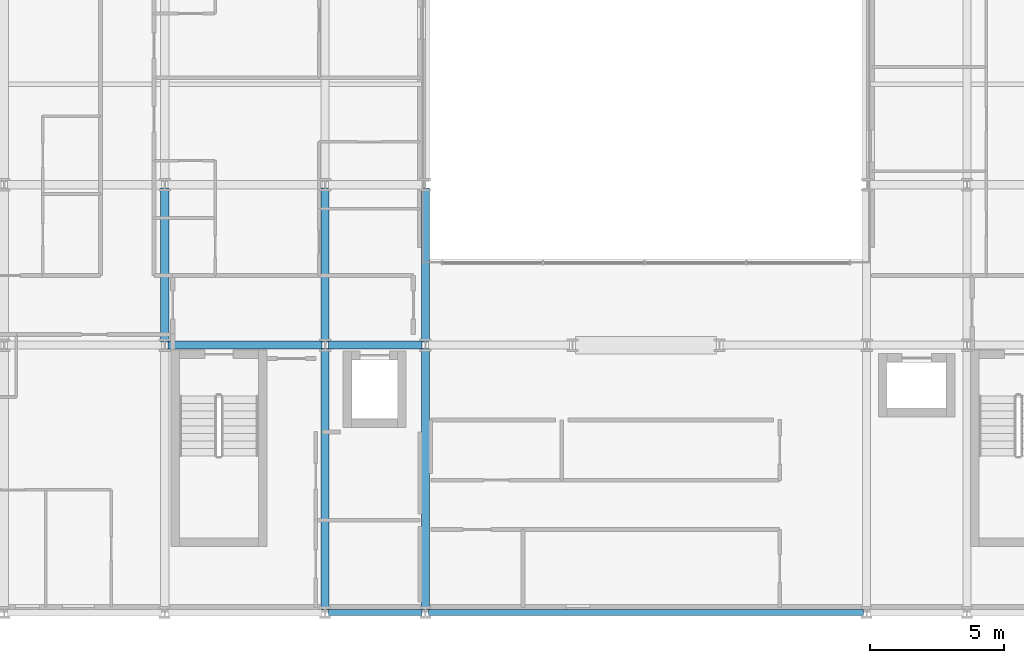
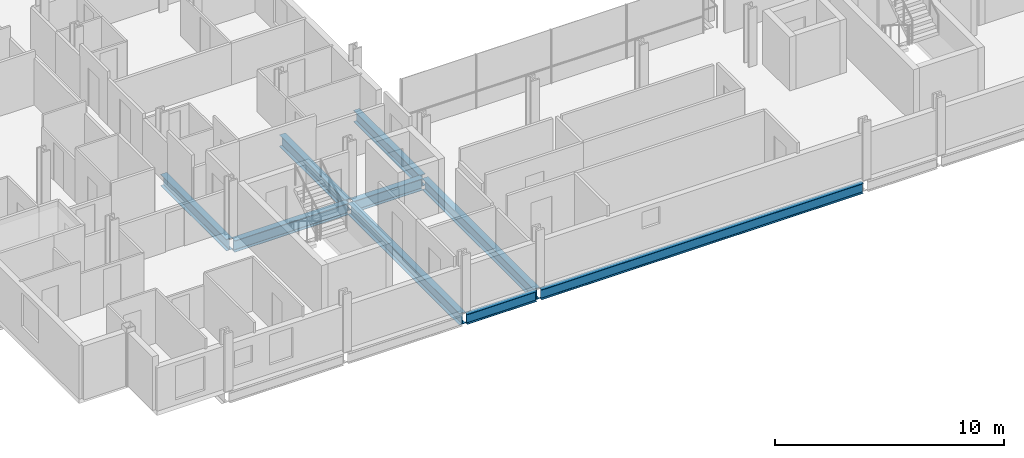
# One storey, part 3 of 39: 9 beams.
"""IFC4 building model written with IfcOpenShell, lengths in metres."""

from ifc_helpers import new_model, si_unit, direction, frame, origin, origin_2d, place, context, subcontext, project, spatial, i_section, extrude, material, material_profile, profile_set, type_object, element, save


model = new_model("IFC4")

# Units and contexts
model_context = context("Model", 3, precision=1e-05, world=origin(), true_north=direction((0.0, 1.0)))
body_context = subcontext(model_context, "Body", "Model", "MODEL_VIEW")
ifc_project = project(units=[si_unit("LENGTHUNIT", "METRE"), si_unit("AREAUNIT", "SQUARE_METRE"), si_unit("VOLUMEUNIT", "CUBIC_METRE"), si_unit("PLANEANGLEUNIT", "RADIAN"), si_unit("MASSUNIT", "GRAM", prefix="KILO")], contexts=[model_context])

# Site, building, storey
site_placement = place(None, origin())
site = spatial("IfcSite", under=ifc_project, at=site_placement, CompositionType="ELEMENT")
building_placement = place(site_placement, origin())
building = spatial("IfcBuilding", under=site, at=building_placement, Name="Brevholm Reach", CompositionType="ELEMENT")
storey_placement = place(building_placement, frame((0.0, 0.0, 40.39990234375)))
storey = spatial("IfcBuildingStorey", under=building, at=storey_placement, Name="L10", CompositionType="ELEMENT", Elevation=40.39990234375)

# Beams
ifc_material_1 = material(Name="Structural Steel S355J2", Category="steel")
ifc_material_profile_1 = material_profile(ifc_material_1, i_section(OverallWidth=0.210693359375, OverallDepth=0.53955078125, WebThickness=0.01171875, FlangeThickness=0.018798828125, FilletRadius=0.0126953125, at=origin_2d()), Name="UKB 533x210x109")
ifc_profile_set_1 = profile_set([ifc_material_profile_1], Name="Structural Steel S355J2")
beam_type_1 = type_object("IfcBeamType", Name="BM-SP539", PredefinedType="SPANDREL", material=ifc_profile_set_1)
beam_1_placement = place(storey_placement, frame((18.1201171875, 0.0, -0.499755859375), z_axis=(1.0, 0.0, 0.0), x_axis=(0.0, 1.0, 0.0)))
element("IfcBeam", 1, at=beam_1_placement, inside=storey, type_object=beam_type_1, Name="L10 SP-01B Framing Beam", PredefinedType="SPANDREL", context=body_context, shape_type="SweptSolid", body=[
    extrude(i_section(OverallWidth=0.210693359375, OverallDepth=0.53955078125, WebThickness=0.01171875, FlangeThickness=0.018798828125, FilletRadius=0.0126953125, at=origin_2d()), origin(), (0.0, 0.0, 1.0), 3.509765625),
])
beam_2_placement = place(storey_placement, frame((21.8701171875, 0.0, -0.499755859375), z_axis=(1.0, 0.0, 0.0), x_axis=(0.0, 1.0, 0.0)))
element("IfcBeam", 2, at=beam_2_placement, inside=storey, type_object=beam_type_1, Name="L10 SP-01B Framing Beam", PredefinedType="SPANDREL", context=body_context, shape_type="SweptSolid", body=[
    extrude(i_section(OverallWidth=0.210693359375, OverallDepth=0.53955078125, WebThickness=0.01171875, FlangeThickness=0.018798828125, FilletRadius=0.0126953125, at=origin_2d()), origin(), (0.0, 0.0, 1.0), 16.259765625),
])
ifc_material_2 = material(Name="Structural Steel S355J2", Category="steel")
ifc_material_profile_2 = material_profile(ifc_material_2, i_section(OverallWidth=0.30712890625, OverallDepth=0.6201171875, WebThickness=0.01416015625, FlangeThickness=0.023681640625, FilletRadius=0.0166015625, at=origin_2d()), Name="UKB 610x305x179")
ifc_profile_set_2 = profile_set([ifc_material_profile_2], Name="Structural Steel S355J2")
beam_type_2 = type_object("IfcBeamType", Name="BM-UKB610H", PredefinedType="USERDEFINED", material=ifc_profile_set_2)
beam_3_placement = place(storey_placement, frame((12.1201171875, 10.0, -0.5400390625), z_axis=(1.0, 0.0, 0.0), x_axis=(0.0, 1.0, 0.0)))
element("IfcBeam", 3, at=beam_3_placement, inside=storey, type_object=beam_type_2, Name="L10 G-06 Framing Beam", ObjectType="GIRDER", PredefinedType="USERDEFINED", context=body_context, shape_type="SweptSolid", body=[
    extrude(i_section(OverallWidth=0.30712890625, OverallDepth=0.6201171875, WebThickness=0.01416015625, FlangeThickness=0.023681640625, FilletRadius=0.0166015625, at=origin_2d()), origin(), (0.0, 0.0, 1.0), 5.759765625),
])
beam_4_placement = place(storey_placement, frame((18.1201171875, 10.0, -0.5400390625), z_axis=(1.0, 0.0, 0.0), x_axis=(0.0, 1.0, 0.0)))
element("IfcBeam", 4, at=beam_4_placement, inside=storey, type_object=beam_type_2, Name="L10 G-06 Framing Beam", ObjectType="GIRDER", PredefinedType="USERDEFINED", context=body_context, shape_type="SweptSolid", body=[
    extrude(i_section(OverallWidth=0.30712890625, OverallDepth=0.6201171875, WebThickness=0.01416015625, FlangeThickness=0.023681640625, FilletRadius=0.0166015625, at=origin_2d()), origin(), (0.0, 0.0, 1.0), 3.509765625),
])
beam_5_placement = place(storey_placement, frame((12.0, 10.1201171875, -0.5400390625), z_axis=(0.0, 1.0, 0.0), x_axis=(-1.0, 0.0, 0.0)))
element("IfcBeam", 5, at=beam_5_placement, inside=storey, type_object=beam_type_2, Name="L10 G-06 Framing Beam", ObjectType="GIRDER", PredefinedType="USERDEFINED", context=body_context, shape_type="SweptSolid", body=[
    extrude(i_section(OverallWidth=0.30712890625, OverallDepth=0.6201171875, WebThickness=0.01416015625, FlangeThickness=0.023681640625, FilletRadius=0.0166015625, at=origin_2d()), origin(), (0.0, 0.0, 1.0), 5.759765625),
])
beam_6_placement = place(storey_placement, frame((18.0, 0.1201171875, -0.5400390625), z_axis=(0.0, 1.0, 0.0), x_axis=(-1.0, 0.0, 0.0)))
element("IfcBeam", 6, at=beam_6_placement, inside=storey, type_object=beam_type_2, Name="L10 G-06 Framing Beam", ObjectType="GIRDER", PredefinedType="USERDEFINED", context=body_context, shape_type="SweptSolid", body=[
    extrude(i_section(OverallWidth=0.30712890625, OverallDepth=0.6201171875, WebThickness=0.01416015625, FlangeThickness=0.023681640625, FilletRadius=0.0166015625, at=origin_2d()), origin(), (0.0, 0.0, 1.0), 9.759765625),
])
beam_7_placement = place(storey_placement, frame((18.0, 10.1201171875, -0.5400390625), z_axis=(0.0, 1.0, 0.0), x_axis=(-1.0, 0.0, 0.0)))
element("IfcBeam", 7, at=beam_7_placement, inside=storey, type_object=beam_type_2, Name="L10 G-06 Framing Beam", ObjectType="GIRDER", PredefinedType="USERDEFINED", context=body_context, shape_type="SweptSolid", body=[
    extrude(i_section(OverallWidth=0.30712890625, OverallDepth=0.6201171875, WebThickness=0.01416015625, FlangeThickness=0.023681640625, FilletRadius=0.0166015625, at=origin_2d()), origin(), (0.0, 0.0, 1.0), 5.759765625),
])
beam_8_placement = place(storey_placement, frame((21.75, 0.1201171875, -0.5400390625), z_axis=(0.0, 1.0, 0.0), x_axis=(-1.0, 0.0, 0.0)))
element("IfcBeam", 8, at=beam_8_placement, inside=storey, type_object=beam_type_2, Name="L10 G-06 Framing Beam", ObjectType="GIRDER", PredefinedType="USERDEFINED", context=body_context, shape_type="SweptSolid", body=[
    extrude(i_section(OverallWidth=0.30712890625, OverallDepth=0.6201171875, WebThickness=0.01416015625, FlangeThickness=0.023681640625, FilletRadius=0.0166015625, at=origin_2d()), origin(), (0.0, 0.0, 1.0), 9.759765625),
])
beam_9_placement = place(storey_placement, frame((21.75, 10.1201171875, -0.5400390625), z_axis=(0.0, 1.0, 0.0), x_axis=(-1.0, 0.0, 0.0)))
element("IfcBeam", 9, at=beam_9_placement, inside=storey, type_object=beam_type_2, Name="L10 G-06 Framing Beam", ObjectType="GIRDER", PredefinedType="USERDEFINED", context=body_context, shape_type="SweptSolid", body=[
    extrude(i_section(OverallWidth=0.30712890625, OverallDepth=0.6201171875, WebThickness=0.01416015625, FlangeThickness=0.023681640625, FilletRadius=0.0166015625, at=origin_2d()), origin(), (0.0, 0.0, 1.0), 5.759765625),
])

save(model, "model.ifc")
